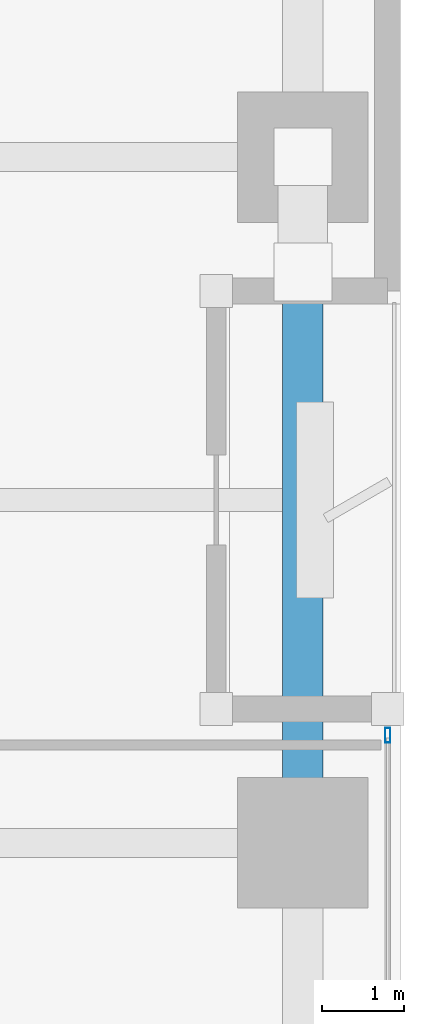
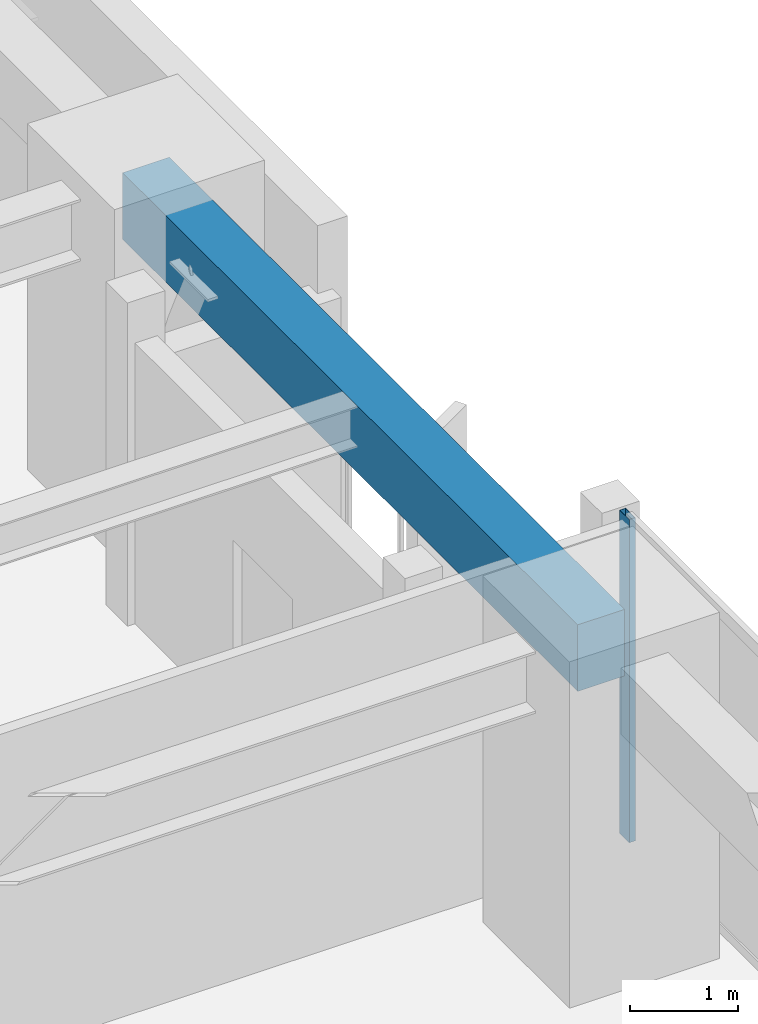
# One storey, part 10 of 28: 1 beam, 1 member, 1 element without a shape of its own.
"""IFC4 building model written with IfcOpenShell, lengths in metres."""

from ifc_helpers import new_model, si_unit, direction, frame, origin, origin_2d, place, context, subcontext, project, spatial, rectangle, hollow_rectangle, extrude, material, layer, layer_set, material_profile, profile_set, type_object, element, aggregate, save


model = new_model("IFC4")

# Units and contexts
model_context = context("Model", 3, precision=1e-05, world=origin(), true_north=direction((0.0, 1.0)))
body_context = subcontext(model_context, "Body", "Model", "MODEL_VIEW")
ifc_project = project(units=[si_unit("LENGTHUNIT", "METRE"), si_unit("AREAUNIT", "SQUARE_METRE"), si_unit("VOLUMEUNIT", "CUBIC_METRE"), si_unit("PLANEANGLEUNIT", "RADIAN"), si_unit("MASSUNIT", "GRAM", prefix="KILO")], contexts=[model_context])

# Site, building, storey
site_placement = place(None, origin())
site = spatial("IfcSite", under=ifc_project, at=site_placement, CompositionType="ELEMENT")
building_placement = place(site_placement, origin())
building = spatial("IfcBuilding", under=site, at=building_placement, Name="Kiyonajd Concourse Tower", CompositionType="ELEMENT")
storey_placement = place(building_placement, frame((0.0, 0.0, 33.300048828125)))
storey = spatial("IfcBuildingStorey", under=building, at=storey_placement, Name="L09", CompositionType="ELEMENT", Elevation=33.300048828125)

# Beam
ifc_material_1 = material(Name="Precast concrete C50/60", Category="concrete")
ifc_material_profile_1 = material_profile(ifc_material_1, rectangle(XDim=0.5, YDim=0.75, at=origin_2d()), Name="RCBM-500x750")
ifc_profile_set_1 = profile_set([ifc_material_profile_1], Name="Precast concrete C50/60")
beam_type = type_object("IfcBeamType", Name="BM-SPAN-RC", PredefinedType="SPANDREL", material=ifc_profile_set_1)
beam_placement = place(storey_placement, frame((78.0, 36.0, 3.264892578125), z_axis=(0.0, 1.0, 0.0), x_axis=(-1.0, 0.0, 0.0)))
element("IfcBeam", 1, at=beam_placement, inside=storey, type_object=beam_type, Name="L09 Perimeter Bundled Tube Spandrel", PredefinedType="SPANDREL", context=body_context, shape_type="SweptSolid", body=[
    extrude(rectangle(XDim=0.5, YDim=0.75, at=origin_2d()), origin(), (0.0, 0.0, 1.0), 8.39990234375),
])

# Curtain wall, member
ifc_material_2 = material(Name="Thermally Broken Anodised Aluminium", Category="aluminium")
ifc_layer = layer(ifc_material_2, 0.179931640625)
ifc_layer_set = layer_set([ifc_layer], Name="Thermally Broken Anodised Aluminium")
curtain_wall_type = type_object("IfcCurtainWallType", Name="CW-SYS-02", PredefinedType="NOTDEFINED", material=ifc_layer_set)
curtain_wall_placement = place(storey_placement, origin())
curtain_wall = element("IfcCurtainWall", 2, at=curtain_wall_placement, inside=storey, type_object=curtain_wall_type, Name="L09 Unitised Curtain Wall CW2", PredefinedType="NOTDEFINED")
ifc_material_profile_2 = material_profile(ifc_material_2, hollow_rectangle(XDim=0.06494140625, YDim=0.179931640625, WallThickness=0.00390625, at=origin_2d()), Name="MULL-65x180")
ifc_profile_set_2 = profile_set([ifc_material_profile_2], Name="Thermally Broken Anodised Aluminium")
member_type = type_object("IfcMemberType", Name="MB-CW-MULL1", PredefinedType="MULLION", material=ifc_profile_set_2)
member_placement = place(storey_placement, frame((79.0400390625, 37.3173828125, 0.0), z_axis=(0.0, 0.0, 1.0), x_axis=(1.0, 0.0, 0.0)))
member = element("IfcMember", 3, at=member_placement, type_object=member_type, Name="CW2 mullion 1", PredefinedType="MULLION", context=body_context, shape_type="SweptSolid", body=[
    extrude(hollow_rectangle(XDim=0.06494140625, YDim=0.179931640625, WallThickness=0.00390625, at=origin_2d()), origin(), (0.0, 0.0, 1.0), 3.639892578125),
])
aggregate(curtain_wall, [member])

save(model, "model.ifc")
